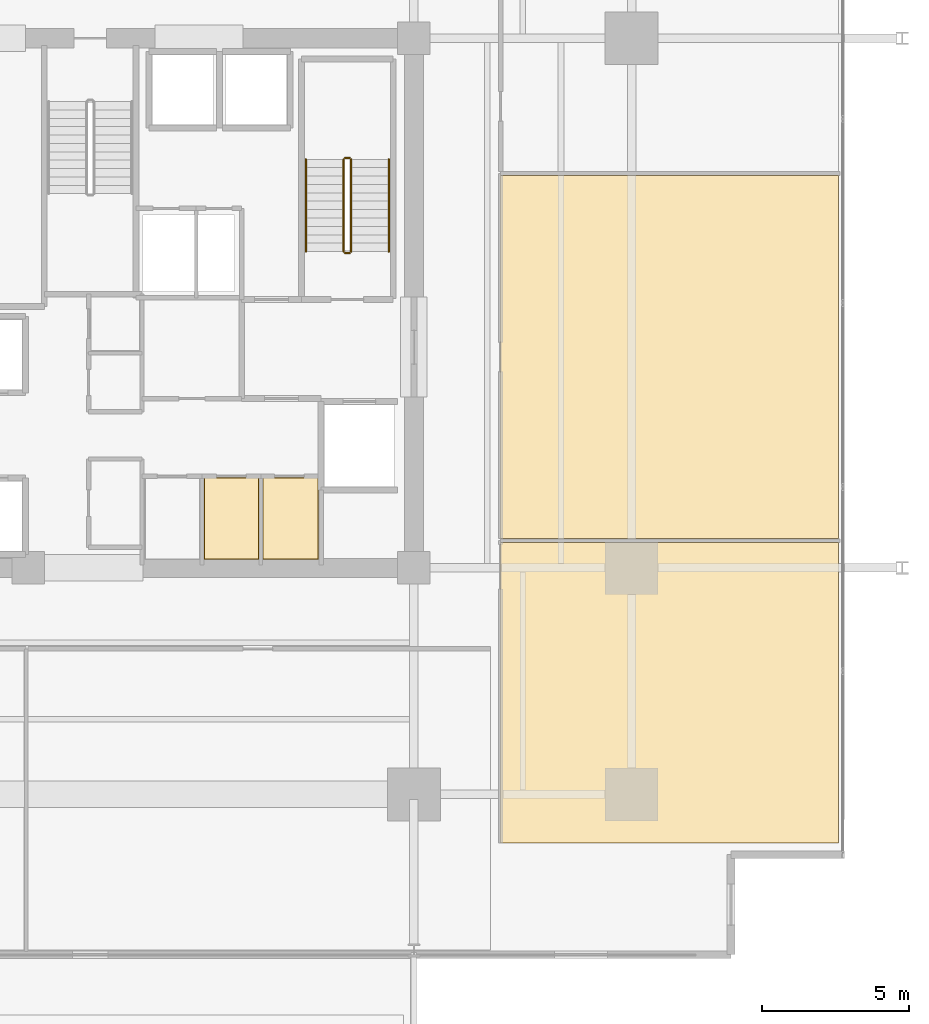
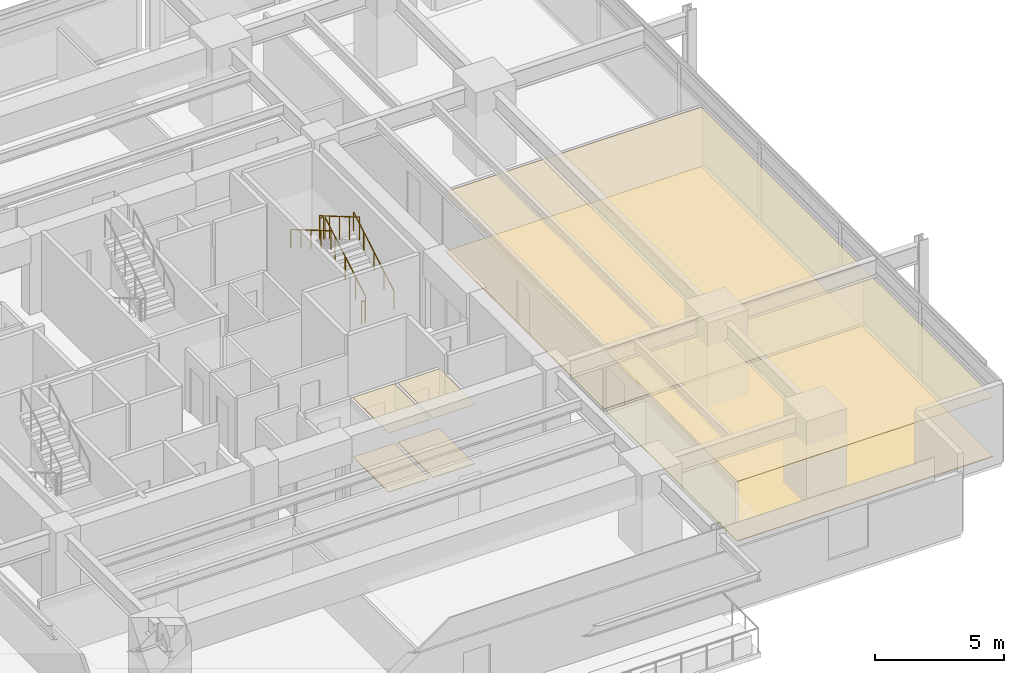
# One storey, part 20 of 22: 8 coverings, 6 railings.
"""IFC4 building model written with IfcOpenShell, lengths in metres."""

from ifc_helpers import new_model, si_unit, direction, frame, origin, origin_2d, place, context, subcontext, project, spatial, polyline, circle, outline, extrude, material, layer, layer_set, type_object, element, save


model = new_model("IFC4")

# Units and contexts
model_context = context("Model", 3, precision=1e-05, world=origin(), true_north=direction((0.0, 1.0)))
body_context = subcontext(model_context, "Body", "Model", "MODEL_VIEW")
ifc_project = project(units=[si_unit("LENGTHUNIT", "METRE"), si_unit("AREAUNIT", "SQUARE_METRE"), si_unit("VOLUMEUNIT", "CUBIC_METRE"), si_unit("PLANEANGLEUNIT", "RADIAN"), si_unit("MASSUNIT", "GRAM", prefix="KILO")], contexts=[model_context])

# Site, building, storey
site_placement = place(None, origin())
site = spatial("IfcSite", under=ifc_project, at=site_placement, CompositionType="ELEMENT")
building_placement = place(site_placement, origin())
building = spatial("IfcBuilding", under=site, at=building_placement, Name="Kovane Verandah Tower", CompositionType="ELEMENT")
storey_placement = place(building_placement, frame((0.0, 0.0, 51.60009765625)))
storey = spatial("IfcBuildingStorey", under=building, at=storey_placement, Name="L11", CompositionType="ELEMENT", Elevation=51.60009765625)

# Coverings
ifc_material_1 = material(Name="Perforated Acoustic Mineral-Fibre Ceiling Tile", Category="gypsum")
ifc_layer_1 = layer(ifc_material_1, 0.02490234375)
ifc_layer_set_1 = layer_set([ifc_layer_1], Name="Perforated Acoustic Mineral-Fibre Ceiling Tile")
covering_type_1 = type_object("IfcCoveringType", Name="CV-CEIL-25", PredefinedType="CEILING", material=ifc_layer_set_1)
covering_1_placement = place(storey_placement, frame((0.0, 0.0, 2.824951171875)))
element("IfcCovering", 1, at=covering_1_placement, inside=storey, type_object=covering_type_1, Name="L11 First Aid Room Acoustic Ceiling", PredefinedType="CEILING", context=body_context, shape_type="SweptSolid", body=[
    extrude(outline(polyline([(43.864990234375, 18.784912109375), (45.735107421875, 18.784912109375), (45.735107421875, 21.56494140625), (43.864990234375, 21.56494140625), (43.864990234375, 18.784912109375)])), origin(), (0.0, 0.0, 1.0), 0.02490234375),
])
covering_2_placement = place(storey_placement, frame((0.0, 0.0, 2.824951171875)))
element("IfcCovering", 2, at=covering_2_placement, inside=storey, type_object=covering_type_1, Name="L11 Quiet Wellness Room Acoustic Ceiling", PredefinedType="CEILING", context=body_context, shape_type="SweptSolid", body=[
    extrude(outline(polyline([(45.864990234375, 18.784912109375), (47.764892578125, 18.784912109375), (47.764892578125, 21.56494140625), (45.864990234375, 21.56494140625), (45.864990234375, 18.784912109375)])), origin(), (0.0, 0.0, 1.0), 0.02490234375),
])
covering_3_placement = place(storey_placement, frame((0.0, 0.0, 2.824951171875)))
element("IfcCovering", 3, at=covering_3_placement, inside=storey, type_object=covering_type_1, Name="L11 Client Boardroom E1 Acoustic Ceiling", PredefinedType="CEILING", context=body_context, shape_type="SweptSolid", body=[
    extrude(outline(polyline([(53.949951171875, 9.15380859375), (65.430419921875, 9.15380859375), (65.430419921875, 19.357666015625), (53.949951171875, 19.357666015625), (53.949951171875, 9.15380859375)])), origin(), (0.0, 0.0, 1.0), 0.02490234375),
])
covering_4_placement = place(storey_placement, frame((0.0, 0.0, 2.824951171875)))
element("IfcCovering", 4, at=covering_4_placement, inside=storey, type_object=covering_type_1, Name="L11 Meeting Room E2 Acoustic Ceiling", PredefinedType="CEILING", context=body_context, shape_type="SweptSolid", body=[
    extrude(outline(polyline([(53.949951171875, 19.497802734375), (65.430419921875, 19.497802734375), (65.430419921875, 31.8330078125), (53.949951171875, 31.8330078125), (53.949951171875, 19.497802734375)])), origin(), (0.0, 0.0, 1.0), 0.02490234375),
])
ifc_material_2 = material(Name="Polished Terrazzo and Raised-Access Carpet Tile Finish", Category="concrete")
ifc_layer_2 = layer(ifc_material_2, 0.030029296875)
ifc_layer_set_2 = layer_set([ifc_layer_2], Name="Polished Terrazzo and Raised-Access Carpet Tile Finish")
covering_type_2 = type_object("IfcCoveringType", Name="CV-FLOR-30", PredefinedType="FLOORING", material=ifc_layer_set_2)
covering_5_placement = place(storey_placement, origin())
element("IfcCovering", 5, at=covering_5_placement, inside=storey, type_object=covering_type_2, Name="L11 First Aid Room Floor Finish", PredefinedType="FLOORING", context=body_context, shape_type="SweptSolid", body=[
    extrude(outline(polyline([(43.8798828125, 18.800048828125), (45.719970703125, 18.800048828125), (45.719970703125, 21.550048828125), (43.8798828125, 21.550048828125), (43.8798828125, 18.800048828125)])), origin(), (0.0, 0.0, 1.0), 0.02978515625),
])
covering_6_placement = place(storey_placement, origin())
element("IfcCovering", 6, at=covering_6_placement, inside=storey, type_object=covering_type_2, Name="L11 Quiet Wellness Room Floor Finish", PredefinedType="FLOORING", context=body_context, shape_type="SweptSolid", body=[
    extrude(outline(polyline([(45.8798828125, 18.800048828125), (47.75, 18.800048828125), (47.75, 21.550048828125), (45.8798828125, 21.550048828125), (45.8798828125, 18.800048828125)])), origin(), (0.0, 0.0, 1.0), 0.02978515625),
])
covering_7_placement = place(storey_placement, origin())
element("IfcCovering", 7, at=covering_7_placement, inside=storey, type_object=covering_type_2, Name="L11 Client Boardroom E1 Floor Finish", PredefinedType="FLOORING", context=body_context, shape_type="SweptSolid", body=[
    extrude(outline(polyline([(53.949951171875, 9.15380859375), (65.430419921875, 9.15380859375), (65.430419921875, 19.357666015625), (53.949951171875, 19.357666015625), (53.949951171875, 9.15380859375)])), origin(), (0.0, 0.0, 1.0), 0.02978515625),
])
covering_8_placement = place(storey_placement, origin())
element("IfcCovering", 8, at=covering_8_placement, inside=storey, type_object=covering_type_2, Name="L11 Meeting Room E2 Floor Finish", PredefinedType="FLOORING", context=body_context, shape_type="SweptSolid", body=[
    extrude(outline(polyline([(53.949951171875, 19.497802734375), (65.430419921875, 19.497802734375), (65.430419921875, 31.8330078125), (53.949951171875, 31.8330078125), (53.949951171875, 19.497802734375)])), origin(), (0.0, 0.0, 1.0), 0.02978515625),
])

# Railings
ifc_material_3 = material(Name="Brushed Stainless Steel Handrail", Category="steel")
railing_type_1 = type_object("IfcRailingType", Name="RL-HAND-920", PredefinedType="HANDRAIL", material=ifc_material_3)
railing_1_placement = place(storey_placement, frame((50.14990234375, 29.25, 0.16650390625)))
element("IfcRailing", 9, at=railing_1_placement, inside=storey, type_object=railing_type_1, Name="L11 ST-02 stair handrail 1", PredefinedType="HANDRAIL", context=body_context, shape_type="SweptSolid", body=[
    extrude(circle(Radius=0.02392578125, at=origin_2d()), frame((0.0, 0.0, 0.8759765625), z_axis=(0.0, 0.863210265497, 0.504844567704), x_axis=(-1.0, 0.0, 0.0)), (0.0, 0.0, 1.0), 3.6318359375),
    extrude(circle(Radius=0.02099609375, at=origin_2d()), origin(), (0.0, 0.0, 1.0), 0.851806640625),
    extrude(circle(Radius=0.02099609375, at=origin_2d()), frame((0.0, 0.78369140625, 0.45849609375)), (0.0, 0.0, 1.0), 0.851806640625),
    extrude(circle(Radius=0.02099609375, at=origin_2d()), frame((0.0, 1.5673828125, 0.916748046875)), (0.0, 0.0, 1.0), 0.851806640625),
    extrude(circle(Radius=0.02099609375, at=origin_2d()), frame((0.0, 2.351318359375, 1.375)), (0.0, 0.0, 1.0), 0.851806640625),
    extrude(circle(Radius=0.02099609375, at=origin_2d()), frame((0.0, 3.135009765625, 1.83349609375)), (0.0, 0.0, 1.0), 0.851806640625),
])
railing_2_placement = place(storey_placement, frame((47.330078125, 32.385009765625, 2.16650390625)))
element("IfcRailing", 10, at=railing_2_placement, inside=storey, type_object=railing_type_1, Name="L11 ST-02 stair handrail 2", PredefinedType="HANDRAIL", context=body_context, shape_type="SweptSolid", body=[
    extrude(circle(Radius=0.02392578125, at=origin_2d()), frame((0.0, 0.0, 0.8759765625), z_axis=(0.0, -0.863210265497, 0.504844567704), x_axis=(1.0, 0.0, 0.0)), (0.0, 0.0, 1.0), 3.6318359375),
    extrude(circle(Radius=0.02099609375, at=origin_2d()), origin(), (0.0, 0.0, 1.0), 0.851806640625),
    extrude(circle(Radius=0.02099609375, at=origin_2d()), frame((0.0, -0.78369140625, 0.45849609375)), (0.0, 0.0, 1.0), 0.851806640625),
    extrude(circle(Radius=0.02099609375, at=origin_2d()), frame((0.0, -1.5673828125, 0.916748046875)), (0.0, 0.0, 1.0), 0.851806640625),
    extrude(circle(Radius=0.02099609375, at=origin_2d()), frame((0.0, -2.351318359375, 1.375)), (0.0, 0.0, 1.0), 0.851806640625),
    extrude(circle(Radius=0.02099609375, at=origin_2d()), frame((0.0, -3.135009765625, 1.83349609375)), (0.0, 0.0, 1.0), 0.851806640625),
])
ifc_material_4 = material(Name="Painted Steel Stairwell Guardrail", Category="steel")
railing_type_2 = type_object("IfcRailingType", Name="RL-STGUARD-1120", PredefinedType="GUARDRAIL", material=ifc_material_4)
railing_3_placement = place(storey_placement, frame((48.8701171875, 29.25, 0.16650390625)))
element("IfcRailing", 11, at=railing_3_placement, inside=storey, type_object=railing_type_2, Name="L11 ST-02 stair guard 1", PredefinedType="GUARDRAIL", context=body_context, shape_type="SweptSolid", body=[
    extrude(circle(Radius=0.02392578125, at=origin_2d()), frame((0.0, 0.0, 1.076171875), z_axis=(0.0, 0.863210265497, 0.504844567704), x_axis=(-1.0, 0.0, 0.0)), (0.0, 0.0, 1.0), 3.6318359375),
    extrude(circle(Radius=0.02099609375, at=origin_2d()), origin(), (0.0, 0.0, 1.0), 1.052001953125),
    extrude(circle(Radius=0.02099609375, at=origin_2d()), frame((0.0, 0.78369140625, 0.45849609375)), (0.0, 0.0, 1.0), 1.052001953125),
    extrude(circle(Radius=0.02099609375, at=origin_2d()), frame((0.0, 1.5673828125, 0.916748046875)), (0.0, 0.0, 1.0), 1.052001953125),
    extrude(circle(Radius=0.02099609375, at=origin_2d()), frame((0.0, 2.351318359375, 1.375)), (0.0, 0.0, 1.0), 1.052001953125),
    extrude(circle(Radius=0.02099609375, at=origin_2d()), frame((0.0, 3.135009765625, 1.83349609375)), (0.0, 0.0, 1.0), 1.052001953125),
])
railing_4_placement = place(storey_placement, frame((48.820068359375, 32.43505859375, 2.0)))
element("IfcRailing", 12, at=railing_4_placement, inside=storey, type_object=railing_type_2, Name="L11 ST-02 stair guard 2", PredefinedType="GUARDRAIL", context=body_context, shape_type="SweptSolid", body=[
    extrude(circle(Radius=0.02392578125, at=origin_2d()), frame((0.0, 0.0, 1.076171875), z_axis=(-1.0, 0.0, 0.0), x_axis=(0.0, -1.0, 0.0)), (0.0, 0.0, 1.0), 0.16015625),
    extrude(circle(Radius=0.02099609375, at=origin_2d()), origin(), (0.0, 0.0, 1.0), 1.052001953125),
    extrude(circle(Radius=0.02099609375, at=origin_2d()), frame((-0.16015625, 0.0, 0.0)), (0.0, 0.0, 1.0), 1.052001953125),
])
railing_5_placement = place(storey_placement, frame((48.610107421875, 32.385009765625, 2.16650390625)))
element("IfcRailing", 13, at=railing_5_placement, inside=storey, type_object=railing_type_2, Name="L11 ST-02 stair guard 3", PredefinedType="GUARDRAIL", context=body_context, shape_type="SweptSolid", body=[
    extrude(circle(Radius=0.02392578125, at=origin_2d()), frame((0.0, 0.0, 1.076171875), z_axis=(0.0, -0.863210265497, 0.504844567704), x_axis=(1.0, 0.0, 0.0)), (0.0, 0.0, 1.0), 3.6318359375),
    extrude(circle(Radius=0.02099609375, at=origin_2d()), origin(), (0.0, 0.0, 1.0), 1.052001953125),
    extrude(circle(Radius=0.02099609375, at=origin_2d()), frame((0.0, -0.78369140625, 0.45849609375)), (0.0, 0.0, 1.0), 1.052001953125),
    extrude(circle(Radius=0.02099609375, at=origin_2d()), frame((0.0, -1.5673828125, 0.916748046875)), (0.0, 0.0, 1.0), 1.052001953125),
    extrude(circle(Radius=0.02099609375, at=origin_2d()), frame((0.0, -2.351318359375, 1.375)), (0.0, 0.0, 1.0), 1.052001953125),
    extrude(circle(Radius=0.02099609375, at=origin_2d()), frame((0.0, -3.135009765625, 1.83349609375)), (0.0, 0.0, 1.0), 1.052001953125),
])
railing_6_placement = place(storey_placement, frame((48.820068359375, 29.199951171875, 0.0)))
element("IfcRailing", 14, at=railing_6_placement, inside=storey, type_object=railing_type_2, Name="L11 ST-02 stair guard 4", PredefinedType="GUARDRAIL", context=body_context, shape_type="SweptSolid", body=[
    extrude(circle(Radius=0.02392578125, at=origin_2d()), frame((0.0, 0.0, 1.076171875), z_axis=(-1.0, 0.0, 0.0), x_axis=(0.0, -1.0, 0.0)), (0.0, 0.0, 1.0), 0.16015625),
    extrude(circle(Radius=0.02099609375, at=origin_2d()), origin(), (0.0, 0.0, 1.0), 1.052001953125),
    extrude(circle(Radius=0.02099609375, at=origin_2d()), frame((-0.16015625, 0.0, 0.0)), (0.0, 0.0, 1.0), 1.052001953125),
])

save(model, "model.ifc")
